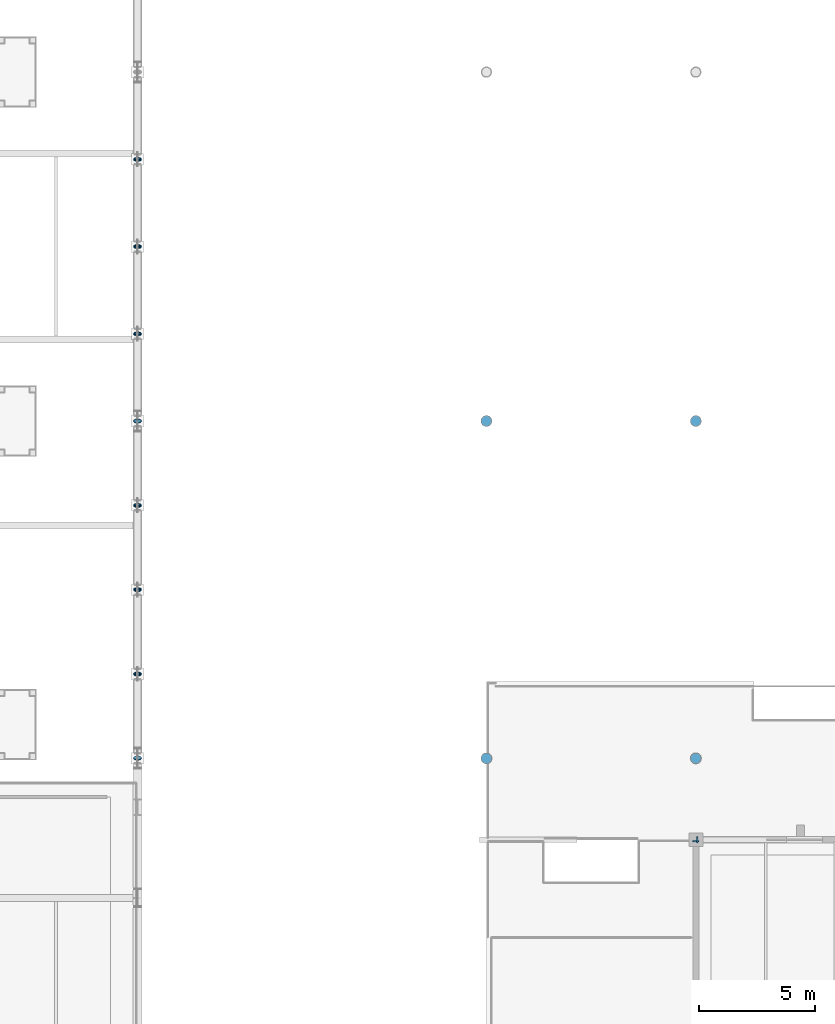
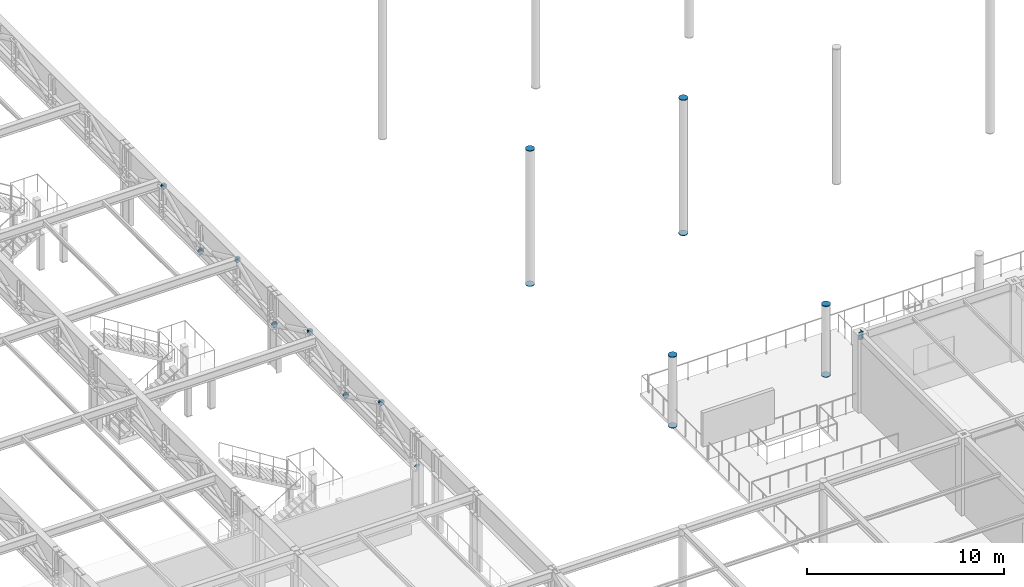
# One storey, part 107 of 143: 25 discrete accessories.
"""IFC4 building model written with IfcOpenShell, lengths in metres."""

from ifc_helpers import new_model, si_unit, direction, frame, origin, origin_2d, place, context, subcontext, project, spatial, rectangle, circle, extrude, material, element, save


model = new_model("IFC4")

# Units and contexts
model_context = context("Model", 3, precision=1e-05, world=origin(), true_north=direction((0.0, 1.0)))
body_context = subcontext(model_context, "Body", "Model", "MODEL_VIEW")
ifc_project = project(units=[si_unit("LENGTHUNIT", "METRE"), si_unit("AREAUNIT", "SQUARE_METRE"), si_unit("VOLUMEUNIT", "CUBIC_METRE"), si_unit("PLANEANGLEUNIT", "RADIAN"), si_unit("MASSUNIT", "GRAM", prefix="KILO")], contexts=[model_context])

# Site, building, storey
site_placement = place(None, origin())
site = spatial("IfcSite", under=ifc_project, at=site_placement, CompositionType="ELEMENT")
building_placement = place(site_placement, origin())
building = spatial("IfcBuilding", under=site, at=building_placement, Name="Marlcrest Central Station", CompositionType="ELEMENT")
storey_placement = place(building_placement, frame((0.0, 0.0, 4.800048828125)))
storey = spatial("IfcBuildingStorey", under=building, at=storey_placement, Name="L01", CompositionType="ELEMENT", Elevation=4.800048828125)

# Discrete accessories
ifc_material = material(Name="Steel S355", Category="steel")
for number, where, z_axis, x_axis, name in (
    (1, (153.045166015625, 33.0, 4.58984375), (1.0, 0.0, 0.0), (0.0, 1.0, 0.0), "endcap-bm-SP-02-L01-00880-s"),
    (2, (153.0, 32.9150390625, 4.58984375), (0.0, 1.0, 0.0), (-1.0, 0.0, 0.0), "endcap-bm-SP-02-L01-00889-e"),
):
    element("IfcDiscreteAccessory", number, at=place(storey_placement, frame(where, z_axis=z_axis, x_axis=x_axis)), inside=storey, material=ifc_material, Name=name, ObjectType="END_CAP_PLATE", PredefinedType="BRACKET", context=body_context, shape_type="SweptSolid", body=[
        extrude(rectangle(XDim=0.26611328125, YDim=0.466064453125, at=origin_2d()), origin(), (0.0, 0.0, 1.0), 0.0400390625),
    ])
for number, where, z_axis, x_axis, name in (
    (3, (144.0, 36.5, -0.014892578125), (0.0, 0.0, 1.0), (1.0, 0.0, 0.0), "endcap-col-SC-11-L01-0513-s"),
    (4, (144.0, 36.5, 4.375), (0.0, 0.0, 1.0), (1.0, 0.0, 0.0), "endcap-col-SC-11-L01-0513-e"),
    (5, (144.0, 51.0, -0.014892578125), (0.0, 0.0, 1.0), (1.0, 0.0, 0.0), "endcap-col-SC-11-L01-0515-s"),
    (6, (144.0, 51.0, 8.37890625), (0.0, 0.0, 1.0), (1.0, 0.0, 0.0), "endcap-col-SC-11-L01-0515-e"),
    (7, (153.0, 36.5, -0.014892578125), (0.0, 0.0, 1.0), (1.0, 0.0, 0.0), "endcap-col-SC-11-L01-0524-s"),
    (8, (153.0, 36.5, 4.375), (0.0, 0.0, 1.0), (1.0, 0.0, 0.0), "endcap-col-SC-11-L01-0524-e"),
    (9, (153.0, 51.0, -0.014892578125), (0.0, 0.0, 1.0), (1.0, 0.0, 0.0), "endcap-col-SC-11-L01-0526-s"),
    (10, (153.0, 51.0, 8.37890625), (0.0, 0.0, 1.0), (1.0, 0.0, 0.0), "endcap-col-SC-11-L01-0526-e"),
):
    element("IfcDiscreteAccessory", number, at=place(storey_placement, frame(where, z_axis=z_axis, x_axis=x_axis)), inside=storey, material=ifc_material, Name=name, ObjectType="END_CAP_PLATE", PredefinedType="BRACKET", context=body_context, shape_type="SweptSolid", body=[
        extrude(circle(Radius=0.236572265625, at=origin_2d()), origin(), (0.0, 0.0, 1.0), 0.0400390625),
    ])
for number, where, z_axis, x_axis, name in (
    (11, (129.0, 36.486572265625, 2.73828125), (0.0, 0.900551636365, 0.434749065831), (-1.0, 0.0, 0.0), "endcap-mem-TD-01-L01-02317-s"),
    (12, (129.0, 40.1025390625, 4.48388671875), (0.0, 0.900551636365, 0.434749065831), (-1.0, 0.0, 0.0), "endcap-mem-TD-01-L01-02317-e"),
    (13, (129.0, 40.111572265625, 4.50146484375), (0.0, 0.900551636365, -0.434749065831), (-1.0, 0.0, 0.0), "endcap-mem-TD-01-L01-02320-s"),
    (14, (129.0, 43.7275390625, 2.755859375), (0.0, 0.900551636365, -0.434749065831), (-1.0, 0.0, 0.0), "endcap-mem-TD-01-L01-02320-e"),
    (15, (129.0, 43.736572265625, 2.73828125), (0.0, 0.900551636365, 0.434749065831), (-1.0, 0.0, 0.0), "endcap-mem-TD-01-L01-02323-s"),
    (16, (129.0, 47.3525390625, 4.48388671875), (0.0, 0.900551636365, 0.434749065831), (-1.0, 0.0, 0.0), "endcap-mem-TD-01-L01-02323-e"),
    (17, (129.0, 47.361572265625, 4.50146484375), (0.0, 0.900551636365, -0.434749065831), (-1.0, 0.0, 0.0), "endcap-mem-TD-01-L01-02326-s"),
    (18, (129.0, 50.9775390625, 2.755859375), (0.0, 0.900551636365, -0.434749065831), (-1.0, 0.0, 0.0), "endcap-mem-TD-01-L01-02326-e"),
    (19, (129.0, 50.986328125, 2.738525390625), (0.0, 0.906183139995, 0.422885465331), (-1.0, 0.0, 0.0), "endcap-mem-TD-01-L01-02329-s"),
    (20, (129.0, 54.727294921875, 4.484375), (0.0, 0.906183139995, 0.422885465331), (-1.0, 0.0, 0.0), "endcap-mem-TD-01-L01-02329-e"),
    (21, (129.0, 54.736328125, 4.501220703125), (0.0, 0.906183139995, -0.422885465331), (-1.0, 0.0, 0.0), "endcap-mem-TD-01-L01-02332-s"),
    (22, (129.0, 58.477294921875, 2.75537109375), (0.0, 0.906183139995, -0.422885465331), (-1.0, 0.0, 0.0), "endcap-mem-TD-01-L01-02332-e"),
    (23, (129.0, 58.486328125, 2.738525390625), (0.0, 0.906183139995, 0.422885465331), (-1.0, 0.0, 0.0), "endcap-mem-TD-01-L01-02335-s"),
    (24, (129.0, 62.227294921875, 4.484375), (0.0, 0.906183139995, 0.422885465331), (-1.0, 0.0, 0.0), "endcap-mem-TD-01-L01-02335-e"),
    (25, (129.0, 62.236328125, 4.501220703125), (0.0, 0.906183139995, -0.422885465331), (-1.0, 0.0, 0.0), "endcap-mem-TD-01-L01-02338-s"),
):
    element("IfcDiscreteAccessory", number, at=place(storey_placement, frame(where, z_axis=z_axis, x_axis=x_axis)), inside=storey, material=ifc_material, Name=name, ObjectType="END_CAP_PLATE", PredefinedType="BRACKET", context=body_context, shape_type="SweptSolid", body=[
        extrude(circle(Radius=0.169921875, at=origin_2d()), origin(), (0.0, 0.0, 1.0), 0.0400390625),
    ])

save(model, "model.ifc")
